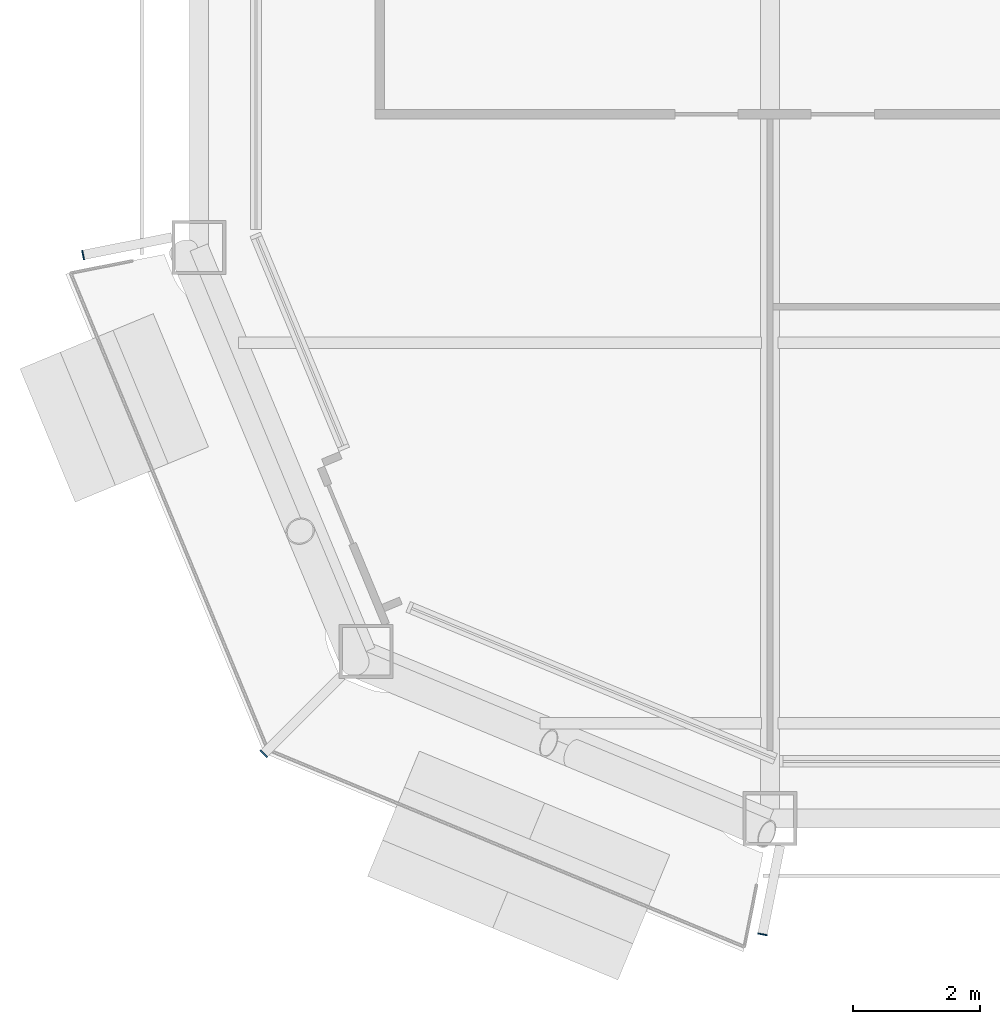
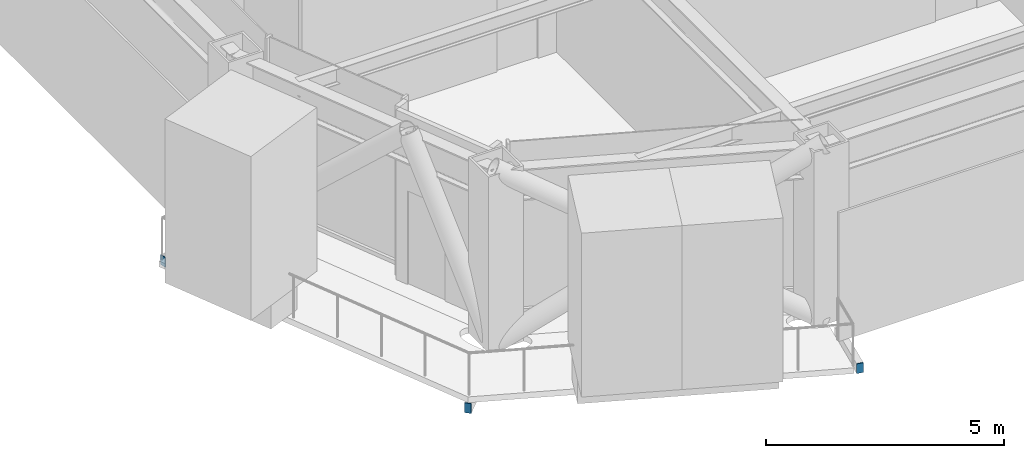
# One storey, part 18 of 24: 3 discrete accessories.
"""IFC4 building model written with IfcOpenShell, lengths in metres."""

from ifc_helpers import new_model, si_unit, direction, frame, origin, origin_2d, place, context, subcontext, project, spatial, rectangle, extrude, material, layer, layer_set, type_object, element, save


model = new_model("IFC4")

# Units and contexts
model_context = context("Model", 3, precision=1e-05, world=origin(), true_north=direction((0.0, 1.0)))
body_context = subcontext(model_context, "Body", "Model", "MODEL_VIEW")
ifc_project = project(units=[si_unit("LENGTHUNIT", "METRE"), si_unit("AREAUNIT", "SQUARE_METRE"), si_unit("VOLUMEUNIT", "CUBIC_METRE"), si_unit("PLANEANGLEUNIT", "RADIAN"), si_unit("MASSUNIT", "GRAM", prefix="KILO")], contexts=[model_context])

# Site, building, storey
site_placement = place(None, origin())
site = spatial("IfcSite", under=ifc_project, at=site_placement, CompositionType="ELEMENT")
building_placement = place(site_placement, origin())
building = spatial("IfcBuilding", under=site, at=building_placement, Name="Siwar Civic Tower", CompositionType="ELEMENT")
storey_placement = place(building_placement, frame((0.0, 0.0, 215.199951171875)))
storey = spatial("IfcBuildingStorey", under=building, at=storey_placement, Name="L46", CompositionType="ELEMENT", Elevation=215.199951171875)

# Discrete accessories
ifc_material = material(Name="Steel S355", Category="steel")
ifc_layer = layer(ifc_material, 0.02001953125)
ifc_layer_set = layer_set([ifc_layer], Name="Steel S355")
discrete_accessory_type = type_object("IfcDiscreteAccessoryType", Name="STR-END-CAP", PredefinedType="USERDEFINED", material=ifc_layer_set)
for number, where, z_axis, x_axis, name in (
    (1, (-28.8251953125, -18.118408203125, -0.39990234375), (0.0, 0.0, 1.0), (-0.980785280444, -0.195090321811, 0.0), "End cap plate Balcony cantilever beam SW 1"),
    (2, (-25.978271484375, -25.978271484375, -0.39990234375), (0.0, 0.0, 1.0), (-0.707106781187, -0.707106781187, 0.0), "End cap plate Balcony cantilever beam SW 2"),
    (3, (-18.118408203125, -28.8251953125, -0.39990234375), (0.0, 0.0, 1.0), (-0.195090321811, -0.980785280444, 0.0), "End cap plate Balcony cantilever beam SW 3"),
):
    element("IfcDiscreteAccessory", number, at=place(storey_placement, frame(where, z_axis=z_axis, x_axis=x_axis)), inside=storey, type_object=discrete_accessory_type, Name=name, ObjectType="END CAP PLATE", PredefinedType="USERDEFINED", context=body_context, shape_type="SweptSolid", body=[
        extrude(rectangle(XDim=0.02001953125, YDim=0.14990234375, at=origin_2d()), origin(), (0.0, 0.0, 1.0), 0.25),
    ])

save(model, "model.ifc")
